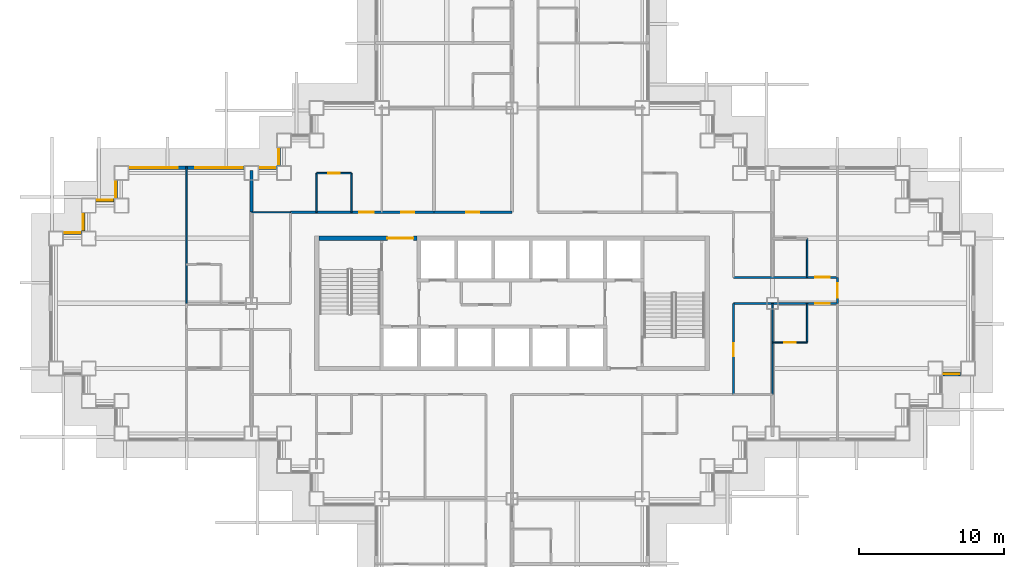
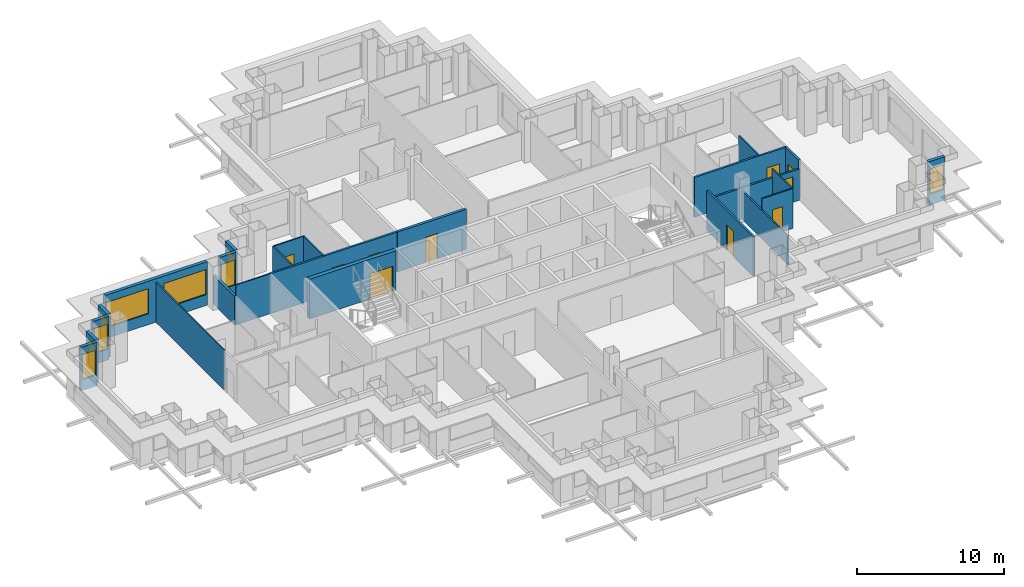
# One storey, part 7 of 15: 25 walls, 10 doors, 9 windows, 19 openings.
"""IFC4 building model written with IfcOpenShell, lengths in metres."""

from ifc_helpers import new_model, si_unit, direction, frame, frame_2d, origin, place, context, subcontext, project, spatial, rectangle, extrude, material, layer, layer_set, type_object, element, fill, save


model = new_model("IFC4")

# Units and contexts
model_context = context("Model", 3, precision=1e-05, world=origin(), true_north=direction((0.0, 1.0)))
body_context = subcontext(model_context, "Body", "Model", "MODEL_VIEW")
ifc_project = project(units=[si_unit("LENGTHUNIT", "METRE"), si_unit("AREAUNIT", "SQUARE_METRE"), si_unit("VOLUMEUNIT", "CUBIC_METRE"), si_unit("PLANEANGLEUNIT", "RADIAN"), si_unit("MASSUNIT", "GRAM", prefix="KILO")], contexts=[model_context])

# Site, building, storey
site_placement = place(None, origin())
site = spatial("IfcSite", under=ifc_project, at=site_placement, CompositionType="ELEMENT")
building_placement = place(site_placement, origin())
building = spatial("IfcBuilding", under=site, at=building_placement, Name="Caravel Reach Hotel and Residences", CompositionType="ELEMENT")
storey_placement = place(building_placement, frame((0.0, 0.0, 70.800048828125)))
storey = spatial("IfcBuildingStorey", under=building, at=storey_placement, Name="L16", CompositionType="ELEMENT", Elevation=70.800048828125)

# Wall, opening, door
ifc_material_1 = material(Name="Gypsum board on steel stud", Category="steel")
ifc_layer_1 = layer(ifc_material_1, 0.10009765625)
ifc_layer_set_1 = layer_set([ifc_layer_1], Name="Bathroom pod wall 100 mm")
wall_type_1 = type_object("IfcWallType", Name="Bathroom pod wall 100 mm", PredefinedType="PARTITIONING", material=ifc_layer_set_1)
wall_1_placement = place(storey_placement, frame((49.5, 24.300048828125, 0.0), z_axis=(0.0, 0.0, 1.0), x_axis=(1.0, 0.0, 0.0)))
wall_1 = element("IfcWall", 1, at=wall_1_placement, inside=storey, type_object=wall_type_1, Name="L16 wall w078", PredefinedType="PARTITIONING", context=body_context, shape_type="SweptSolid", body=[
    extrude(rectangle(XDim=2.39990234375, YDim=0.10009765625, at=frame_2d((1.199951171875, 0.0))), origin(), (0.0, 0.0, 1.0), 3.300048828125),
])
opening_1_placement = place(wall_1_placement, frame((0.800048828125, 0.0, 0.0)))
opening_1 = element("IfcOpeningElement", 2, at=opening_1_placement, cuts=wall_1, Name="Opening D16-020", PredefinedType="OPENING", context=body_context, shape_type="SweptSolid", body=[
    extrude(rectangle(XDim=0.800048828125, YDim=2.10009765625, at=frame_2d((0.39990234375, 1.050048828125))), frame((0.0, 0.06005859375, 0.0), z_axis=(0.0, -1.0, 0.0), x_axis=(1.0, 0.0, 0.0)), (0.0, 0.0, 1.0), 0.1201171875),
])
ifc_material_2 = material(Name="Timber and steel door leaf", Category="steel")
door_type_1 = type_object("IfcDoorType", Name="Bathroom door 800 x 2100", OperationType="SINGLE_SWING_LEFT", PredefinedType="DOOR", material=ifc_material_2)
door_1_placement = place(opening_1_placement, origin())
door_1 = element("IfcDoor", 3, at=door_1_placement, inside=storey, type_object=door_type_1, Name="door D16-020", OperationType="SINGLE_SWING_LEFT", OverallHeight=2.10009765625, OverallWidth=0.800048828125, PredefinedType="DOOR", context=body_context, shape_type="SweptSolid", body=[
    extrude(rectangle(XDim=0.800048828125, YDim=2.10009765625, at=frame_2d((0.39990234375, 1.050048828125))), frame((0.0, 0.02490234375, 0.0), z_axis=(0.0, -1.0, 0.0), x_axis=(1.0, 0.0, 0.0)), (0.0, 0.0, 1.0), 0.050048828125),
])
fill(opening_1, door_1)

wall_2_placement = place(storey_placement, frame((18.0, 36.0, 0.0), z_axis=(0.0, 0.0, 1.0), x_axis=(1.0, 0.0, 0.0)))
wall_2 = element("IfcWall", 4, at=wall_2_placement, inside=storey, type_object=wall_type_1, Name="L16 wall w081", PredefinedType="PARTITIONING", context=body_context, shape_type="SweptSolid", body=[
    extrude(rectangle(XDim=2.39990234375, YDim=0.10009765625, at=frame_2d((1.199951171875, 0.0))), origin(), (0.0, 0.0, 1.0), 3.300048828125),
])
opening_2_placement = place(wall_2_placement, frame((0.800048828125, 0.0, 0.0)))
opening_2 = element("IfcOpeningElement", 5, at=opening_2_placement, cuts=wall_2, Name="Opening D16-043", PredefinedType="OPENING", context=body_context, shape_type="SweptSolid", body=[
    extrude(rectangle(XDim=0.800048828125, YDim=2.10009765625, at=frame_2d((0.39990234375, 1.050048828125))), frame((0.0, 0.06005859375, 0.0), z_axis=(0.0, -1.0, 0.0), x_axis=(1.0, 0.0, 0.0)), (0.0, 0.0, 1.0), 0.1201171875),
])
door_2_placement = place(opening_2_placement, origin())
door_2 = element("IfcDoor", 6, at=door_2_placement, inside=storey, type_object=door_type_1, Name="door D16-043", OperationType="SINGLE_SWING_RIGHT", OverallHeight=2.10009765625, OverallWidth=0.800048828125, PredefinedType="DOOR", context=body_context, shape_type="SweptSolid", body=[
    extrude(rectangle(XDim=0.800048828125, YDim=2.10009765625, at=frame_2d((0.39990234375, 1.050048828125))), frame((0.0, 0.02490234375, 0.0), z_axis=(0.0, -1.0, 0.0), x_axis=(1.0, 0.0, 0.0)), (0.0, 0.0, 1.0), 0.050048828125),
])
fill(opening_2, door_2)

# Walls
for number, where, z_axis, x_axis, name in (
    (7, (18.0, 33.300048828125, 0.0), (0.0, 0.0, 1.0), (0.0, 1.0, 0.0), "L16 wall w090"),
    (8, (20.39990234375, 33.300048828125, 0.0), (0.0, 0.0, 1.0), (0.0, 1.0, 0.0), "L16 wall w091"),
    (9, (51.89990234375, 28.800048828125, 0.0), (0.0, 0.0, 1.0), (0.0, 1.0, 0.0), "L16 wall w103"),
    (10, (51.89990234375, 24.300048828125, 0.0), (0.0, 0.0, 1.0), (0.0, 1.0, 0.0), "L16 wall w104"),
):
    element("IfcWall", number, at=place(storey_placement, frame(where, z_axis=z_axis, x_axis=x_axis)), inside=storey, type_object=wall_type_1, Name=name, PredefinedType="PARTITIONING", context=body_context, shape_type="SweptSolid", body=[
        extrude(rectangle(XDim=2.699951171875, YDim=0.10009765625, at=frame_2d((1.35009765625, 0.0))), origin(), (0.0, 0.0, 1.0), 3.300048828125),
    ])

# Wall, opening, door
ifc_material_3 = material(Name="Autoclaved aerated block wall")
ifc_layer_2 = layer(ifc_material_3, 0.199951171875)
ifc_layer_set_2 = layer_set([ifc_layer_2], Name="Compartment wall 200 mm EI 120")
wall_type_2 = type_object("IfcWallType", Name="Compartment wall 200 mm EI 120", PredefinedType="PARTITIONING", material=ifc_layer_set_2)
wall_3_placement = place(storey_placement, frame((26.10009765625, 33.300048828125, 0.0), z_axis=(0.0, 0.0, 1.0), x_axis=(1.0, 0.0, 0.0)))
wall_3 = element("IfcWall", 11, at=wall_3_placement, inside=storey, type_object=wall_type_2, Name="L16 wall w105", PredefinedType="PARTITIONING", context=body_context, shape_type="SweptSolid", body=[
    extrude(rectangle(XDim=5.39990234375, YDim=0.199951171875, at=frame_2d((2.699951171875, 0.0))), origin(), (0.0, 0.0, 1.0), 3.300048828125),
])
opening_3_placement = place(wall_3_placement, frame((2.25, 0.0, 0.0)))
opening_3 = element("IfcOpeningElement", 12, at=opening_3_placement, cuts=wall_3, Name="Opening D16-052", PredefinedType="OPENING", context=body_context, shape_type="SweptSolid", body=[
    extrude(rectangle(XDim=0.89990234375, YDim=2.10009765625, at=frame_2d((0.449951171875, 1.050048828125))), frame((0.0, 0.10986328125, 0.0), z_axis=(0.0, -1.0, 0.0), x_axis=(1.0, 0.0, 0.0)), (0.0, 0.0, 1.0), 0.219970703125),
])
ifc_material_4 = material(Name="Steel fire door leaf", Category="steel")
door_type_2 = type_object("IfcDoorType", Name="Riser door 900 x 2100 EI 60", OperationType="SINGLE_SWING_LEFT", PredefinedType="DOOR", material=ifc_material_4)
door_3_placement = place(opening_3_placement, origin())
door_3 = element("IfcDoor", 13, at=door_3_placement, inside=storey, type_object=door_type_2, Name="door D16-052", OperationType="SINGLE_SWING_LEFT", OverallHeight=2.10009765625, OverallWidth=0.89990234375, PredefinedType="DOOR", context=body_context, shape_type="SweptSolid", body=[
    extrude(rectangle(XDim=0.89990234375, YDim=2.10009765625, at=frame_2d((0.449951171875, 1.050048828125))), frame((0.0, 0.02490234375, 0.0), z_axis=(0.0, -1.0, 0.0), x_axis=(1.0, 0.0, 0.0)), (0.0, 0.0, 1.0), 0.050048828125),
])
fill(opening_3, door_3)

ifc_material_5 = material(Name="Concrete C60", Category="concrete")
ifc_layer_3 = layer(ifc_material_5, 0.300048828125)
ifc_layer_set_3 = layer_set([ifc_layer_3], Name="Core wall 300 mm EI 120")
wall_type_3 = type_object("IfcWallType", Name="Core wall 300 mm EI 120", PredefinedType="SHEAR", material=ifc_layer_set_3)
wall_4_placement = place(storey_placement, frame((18.14990234375, 31.5, 0.0), z_axis=(0.0, 0.0, 1.0), x_axis=(1.0, 0.0, 0.0)))
wall_4 = element("IfcWall", 14, at=wall_4_placement, inside=storey, type_object=wall_type_3, Name="L16 core wall N1", PredefinedType="SHEAR", context=body_context, shape_type="SweptSolid", body=[
    extrude(rectangle(XDim=6.796630859375, YDim=0.300048828125, at=frame_2d((3.3984375, 0.0))), origin(), (0.0, 0.0, 1.0), 3.300048828125),
])
opening_4_placement = place(wall_4_placement, frame((4.735595703125, 0.0, 0.0)))
opening_4 = element("IfcOpeningElement", 15, at=opening_4_placement, cuts=wall_4, Name="Opening D16-013", PredefinedType="OPENING", context=body_context, shape_type="SweptSolid", body=[
    extrude(rectangle(XDim=1.800048828125, YDim=2.10009765625, at=frame_2d((0.89990234375, 1.050048828125))), frame((0.0, 0.159912109375, 0.0), z_axis=(0.0, -1.0, 0.0), x_axis=(1.0, 0.0, 0.0)), (0.0, 0.0, 1.0), 0.320068359375),
])
ifc_material_6 = material(Name="Steel fire door leaf", Category="steel")
door_type_3 = type_object("IfcDoorType", Name="Fire lobby door pair 1800 x 2100 EI 90", OperationType="DOUBLE_DOOR_SINGLE_SWING", PredefinedType="DOOR", material=ifc_material_6)
door_4_placement = place(opening_4_placement, origin())
door_4 = element("IfcDoor", 16, at=door_4_placement, inside=storey, type_object=door_type_3, Name="lobby N door pair to corridor", OperationType="DOUBLE_DOOR_SINGLE_SWING", OverallHeight=2.10009765625, OverallWidth=1.800048828125, PredefinedType="DOOR", context=body_context, shape_type="SweptSolid", body=[
    extrude(rectangle(XDim=1.800048828125, YDim=2.10009765625, at=frame_2d((0.89990234375, 1.050048828125))), frame((0.0, 0.02490234375, 0.0), z_axis=(0.0, -1.0, 0.0), x_axis=(1.0, 0.0, 0.0)), (0.0, 0.0, 1.0), 0.050048828125),
])
fill(opening_4, door_4)

ifc_material_7 = material(Name="Gypsum board on steel stud, fire-rated", Category="steel")
ifc_layer_4 = layer(ifc_material_7, 0.14990234375)
ifc_layer_set_4 = layer_set([ifc_layer_4], Name="Corridor wall 150 mm EI 60")
wall_type_4 = type_object("IfcWallType", Name="Corridor wall 150 mm EI 60", PredefinedType="PARTITIONING", material=ifc_layer_set_4)
wall_5_placement = place(storey_placement, frame((46.800048828125, 27.0, 0.0), z_axis=(0.0, 0.0, 1.0), x_axis=(1.0, 0.0, 0.0)))
wall_5 = element("IfcWall", 17, at=wall_5_placement, inside=storey, type_object=wall_type_4, Name="L16 wall w011", PredefinedType="PARTITIONING", context=body_context, shape_type="SweptSolid", body=[
    extrude(rectangle(XDim=7.199951171875, YDim=0.14990234375, at=frame_2d((3.60009765625, 0.0))), origin(), (0.0, 0.0, 1.0), 2.579833984375),
])
opening_5_placement = place(wall_5_placement, frame((5.64990234375, 0.0, 0.0)))
opening_5 = element("IfcOpeningElement", 18, at=opening_5_placement, cuts=wall_5, Name="Opening D16-019", PredefinedType="OPENING", context=body_context, shape_type="SweptSolid", body=[
    extrude(rectangle(XDim=1.0, YDim=2.10009765625, at=frame_2d((0.5, 1.050048828125))), frame((0.0, 0.0849609375, 0.0), z_axis=(0.0, -1.0, 0.0), x_axis=(1.0, 0.0, 0.0)), (0.0, 0.0, 1.0), 0.169921875),
])
ifc_material_8 = material(Name="Steel fire door leaf", Category="steel")
door_type_4 = type_object("IfcDoorType", Name="Guest room door 1000 x 2100 EI 30", OperationType="SINGLE_SWING_LEFT", PredefinedType="DOOR", material=ifc_material_8)
door_5_placement = place(opening_5_placement, origin())
door_5 = element("IfcDoor", 19, at=door_5_placement, inside=storey, type_object=door_type_4, Name="door D16-019", OperationType="SINGLE_SWING_RIGHT", OverallHeight=2.10009765625, OverallWidth=1.0, PredefinedType="DOOR", context=body_context, shape_type="SweptSolid", body=[
    extrude(rectangle(XDim=1.0, YDim=2.10009765625, at=frame_2d((0.5, 1.050048828125))), frame((0.0, 0.02490234375, 0.0), z_axis=(0.0, -1.0, 0.0), x_axis=(1.0, 0.0, 0.0)), (0.0, 0.0, 1.0), 0.050048828125),
])
fill(opening_5, door_5)

wall_6_placement = place(storey_placement, frame((46.800048828125, 28.800048828125, 0.0), z_axis=(0.0, 0.0, 1.0), x_axis=(1.0, 0.0, 0.0)))
wall_6 = element("IfcWall", 20, at=wall_6_placement, inside=storey, type_object=wall_type_4, Name="L16 wall w014", PredefinedType="PARTITIONING", context=body_context, shape_type="SweptSolid", body=[
    extrude(rectangle(XDim=7.199951171875, YDim=0.14990234375, at=frame_2d((3.60009765625, 0.0))), origin(), (0.0, 0.0, 1.0), 3.300048828125),
])
opening_6_placement = place(wall_6_placement, frame((5.64990234375, 0.0, 0.0)))
opening_6 = element("IfcOpeningElement", 21, at=opening_6_placement, cuts=wall_6, Name="Opening D16-021", PredefinedType="OPENING", context=body_context, shape_type="SweptSolid", body=[
    extrude(rectangle(XDim=1.0, YDim=2.10009765625, at=frame_2d((0.5, 1.050048828125))), frame((0.0, 0.0849609375, 0.0), z_axis=(0.0, -1.0, 0.0), x_axis=(1.0, 0.0, 0.0)), (0.0, 0.0, 1.0), 0.169921875),
])
door_6_placement = place(opening_6_placement, origin())
door_6 = element("IfcDoor", 22, at=door_6_placement, inside=storey, type_object=door_type_4, Name="door D16-021", OperationType="SINGLE_SWING_RIGHT", OverallHeight=2.10009765625, OverallWidth=1.0, PredefinedType="DOOR", context=body_context, shape_type="SweptSolid", body=[
    extrude(rectangle(XDim=1.0, YDim=2.10009765625, at=frame_2d((0.5, 1.050048828125))), frame((0.0, 0.02490234375, 0.0), z_axis=(0.0, -1.0, 0.0), x_axis=(1.0, 0.0, 0.0)), (0.0, 0.0, 1.0), 0.050048828125),
])
fill(opening_6, door_6)

# Wall, openings, doors
wall_7_placement = place(storey_placement, frame((16.199951171875, 33.300048828125, 0.0), z_axis=(0.0, 0.0, 1.0), x_axis=(1.0, 0.0, 0.0)))
wall_7 = element("IfcWall", 23, at=wall_7_placement, inside=storey, type_object=wall_type_4, Name="L16 wall w015", PredefinedType="PARTITIONING", context=body_context, shape_type="SweptSolid", body=[
    extrude(rectangle(XDim=9.900146484375, YDim=0.14990234375, at=frame_2d((4.9501953125, 0.0))), origin(), (0.0, 0.0, 1.0), 3.300048828125),
])
opening_7_placement = place(wall_7_placement, frame((4.75, 0.0, 0.0)))
opening_7 = element("IfcOpeningElement", 24, at=opening_7_placement, cuts=wall_7, Name="Opening D16-042", PredefinedType="OPENING", context=body_context, shape_type="SweptSolid", body=[
    extrude(rectangle(XDim=1.0, YDim=2.10009765625, at=frame_2d((0.5, 1.050048828125))), frame((0.0, 0.0849609375, 0.0), z_axis=(0.0, -1.0, 0.0), x_axis=(1.0, 0.0, 0.0)), (0.0, 0.0, 1.0), 0.169921875),
])
opening_8_placement = place(wall_7_placement, frame((7.650146484375, 0.0, 0.0)))
opening_8 = element("IfcOpeningElement", 25, at=opening_8_placement, cuts=wall_7, Name="Opening D16-051", PredefinedType="OPENING", context=body_context, shape_type="SweptSolid", body=[
    extrude(rectangle(XDim=0.89990234375, YDim=2.10009765625, at=frame_2d((0.449951171875, 1.050048828125))), frame((0.0, 0.0849609375, 0.0), z_axis=(0.0, -1.0, 0.0), x_axis=(1.0, 0.0, 0.0)), (0.0, 0.0, 1.0), 0.169921875),
])
ifc_material_9 = material(Name="Timber and steel door leaf", Category="steel")
door_type_5 = type_object("IfcDoorType", Name="Door 900 x 2100 timber", OperationType="SINGLE_SWING_LEFT", PredefinedType="DOOR", material=ifc_material_9)
door_7_placement = place(opening_8_placement, origin())
door_7 = element("IfcDoor", 26, at=door_7_placement, inside=storey, type_object=door_type_5, Name="door D16-051", OperationType="SINGLE_SWING_RIGHT", OverallHeight=2.10009765625, OverallWidth=0.89990234375, PredefinedType="DOOR", context=body_context, shape_type="SweptSolid", body=[
    extrude(rectangle(XDim=0.89990234375, YDim=2.10009765625, at=frame_2d((0.449951171875, 1.050048828125))), frame((0.0, 0.02490234375, 0.0), z_axis=(0.0, -1.0, 0.0), x_axis=(1.0, 0.0, 0.0)), (0.0, 0.0, 1.0), 0.050048828125),
])
fill(opening_8, door_7)
door_8_placement = place(opening_7_placement, origin())
door_8 = element("IfcDoor", 27, at=door_8_placement, inside=storey, type_object=door_type_4, Name="door D16-042", OperationType="SINGLE_SWING_RIGHT", OverallHeight=2.10009765625, OverallWidth=1.0, PredefinedType="DOOR", context=body_context, shape_type="SweptSolid", body=[
    extrude(rectangle(XDim=1.0, YDim=2.10009765625, at=frame_2d((0.5, 1.050048828125))), frame((0.0, 0.02490234375, 0.0), z_axis=(0.0, -1.0, 0.0), x_axis=(1.0, 0.0, 0.0)), (0.0, 0.0, 1.0), 0.050048828125),
])
fill(opening_7, door_8)

# Wall, opening, door
wall_8_placement = place(storey_placement, frame((46.800048828125, 20.699951171875, 0.0), z_axis=(0.0, 0.0, 1.0), x_axis=(0.0, 1.0, 0.0)))
wall_8 = element("IfcWall", 28, at=wall_8_placement, inside=storey, type_object=wall_type_4, Name="L16 wall w035", PredefinedType="PARTITIONING", context=body_context, shape_type="SweptSolid", body=[
    extrude(rectangle(XDim=6.300048828125, YDim=0.14990234375, at=frame_2d((3.14990234375, 0.0))), origin(), (0.0, 0.0, 1.0), 3.300048828125),
])
opening_9_placement = place(wall_8_placement, frame((2.64990234375, 0.0, 0.0)))
opening_9 = element("IfcOpeningElement", 29, at=opening_9_placement, cuts=wall_8, Name="Opening D16-059", PredefinedType="OPENING", context=body_context, shape_type="SweptSolid", body=[
    extrude(rectangle(XDim=0.89990234375, YDim=2.10009765625, at=frame_2d((0.449951171875, 1.050048828125))), frame((0.0, 0.0849609375, 0.0), z_axis=(0.0, -1.0, 0.0), x_axis=(1.0, 0.0, 0.0)), (0.0, 0.0, 1.0), 0.169921875),
])
door_9_placement = place(opening_9_placement, origin())
door_9 = element("IfcDoor", 30, at=door_9_placement, inside=storey, type_object=door_type_5, Name="door D16-059", OperationType="SINGLE_SWING_LEFT", OverallHeight=2.10009765625, OverallWidth=0.89990234375, PredefinedType="DOOR", context=body_context, shape_type="SweptSolid", body=[
    extrude(rectangle(XDim=0.89990234375, YDim=2.10009765625, at=frame_2d((0.449951171875, 1.050048828125))), frame((0.0, 0.02490234375, 0.0), z_axis=(0.0, -1.0, 0.0), x_axis=(1.0, 0.0, 0.0)), (0.0, 0.0, 1.0), 0.050048828125),
])
fill(opening_9, door_9)

wall_9_placement = place(storey_placement, frame((54.0, 27.0, 0.0), z_axis=(0.0, 0.0, 1.0), x_axis=(0.0, 1.0, 0.0)))
wall_9 = element("IfcWall", 31, at=wall_9_placement, inside=storey, type_object=wall_type_4, Name="L16 wall w036", PredefinedType="PARTITIONING", context=body_context, shape_type="SweptSolid", body=[
    extrude(rectangle(XDim=1.800048828125, YDim=0.14990234375, at=frame_2d((0.89990234375, 0.0))), origin(), (0.0, 0.0, 1.0), 3.300048828125),
])
opening_10_placement = place(wall_9_placement, frame((0.39990234375, 0.0, 0.0)))
opening_10 = element("IfcOpeningElement", 32, at=opening_10_placement, cuts=wall_9, Name="Opening D16-038", PredefinedType="OPENING", context=body_context, shape_type="SweptSolid", body=[
    extrude(rectangle(XDim=1.0, YDim=2.10009765625, at=frame_2d((0.5, 1.050048828125))), frame((0.0, 0.0849609375, 0.0), z_axis=(0.0, -1.0, 0.0), x_axis=(1.0, 0.0, 0.0)), (0.0, 0.0, 1.0), 0.169921875),
])
door_10_placement = place(opening_10_placement, origin())
door_10 = element("IfcDoor", 33, at=door_10_placement, inside=storey, type_object=door_type_4, Name="door D16-038", OperationType="SINGLE_SWING_LEFT", OverallHeight=2.10009765625, OverallWidth=1.0, PredefinedType="DOOR", context=body_context, shape_type="SweptSolid", body=[
    extrude(rectangle(XDim=1.0, YDim=2.10009765625, at=frame_2d((0.5, 1.050048828125))), frame((0.0, 0.02490234375, 0.0), z_axis=(0.0, -1.0, 0.0), x_axis=(1.0, 0.0, 0.0)), (0.0, 0.0, 1.0), 0.050048828125),
])
fill(opening_10, door_10)

# Wall, opening, window
ifc_material_10 = material(Name="Insulated rainscreen wall, aluminium cladding", Category="aluminium")
ifc_layer_5 = layer(ifc_material_10, 0.25)
ifc_layer_set_5 = layer_set([ifc_layer_5], Name="EW1 Tower rainscreen wall")
wall_type_5 = type_object("IfcWallType", Name="EW1 Tower rainscreen wall", PredefinedType="SOLIDWALL", material=ifc_layer_set_5)
wall_10_placement = place(storey_placement, frame((61.25, 22.125, 0.0), z_axis=(0.0, 0.0, 1.0), x_axis=(1.0, 0.0, 0.0)))
wall_10 = element("IfcWall", 34, at=wall_10_placement, inside=storey, type_object=wall_type_5, Name="External wall L16 S19.1", PredefinedType="SOLIDWALL", context=body_context, shape_type="SweptSolid", body=[
    extrude(rectangle(XDim=1.25, YDim=0.25, at=frame_2d((0.625, 0.0))), origin(), (0.0, 0.0, 1.0), 3.599853515625),
])
opening_11_placement = place(wall_10_placement, frame((0.10009765625, 0.0, 0.89990234375)))
opening_11 = element("IfcOpeningElement", 35, at=opening_11_placement, cuts=wall_10, Name="Opening WN3", PredefinedType="OPENING", context=body_context, shape_type="SweptSolid", body=[
    extrude(rectangle(XDim=1.050048828125, YDim=2.080078125, at=frame_2d((0.52490234375, 1.0400390625))), frame((0.0, 0.135009765625, 0.0), z_axis=(0.0, -1.0, 0.0), x_axis=(1.0, 0.0, 0.0)), (0.0, 0.0, 1.0), 0.27001953125),
])
ifc_material_11 = material(Name="Dark low-e glazing in black aluminium frame", Category="aluminium")
window_type_1 = type_object("IfcWindowType", Name="Hotel suite corner window 1050 x 2080", PartitioningType="SINGLE_PANEL", PredefinedType="WINDOW", material=ifc_material_11)
window_1_placement = place(opening_11_placement, origin())
window_1 = element("IfcWindow", 36, at=window_1_placement, inside=storey, type_object=window_type_1, Name="Window L16 S19.1.1", OverallHeight=2.080078125, OverallWidth=1.050048828125, PartitioningType="SINGLE_PANEL", PredefinedType="WINDOW", context=body_context, shape_type="SweptSolid", body=[
    extrude(rectangle(XDim=1.050048828125, YDim=2.080078125, at=frame_2d((0.52490234375, 1.0400390625))), frame((0.0, 0.030029296875, 0.0), z_axis=(0.0, -1.0, 0.0), x_axis=(1.0, 0.0, 0.0)), (0.0, 0.0, 1.0), 0.06005859375),
])
fill(opening_11, window_1)

wall_11_placement = place(storey_placement, frame((15.375, 37.75, 0.0), z_axis=(0.0, 0.0, 1.0), x_axis=(0.0, -1.0, 0.0)))
wall_11 = element("IfcWall", 37, at=wall_11_placement, inside=storey, type_object=wall_type_5, Name="External wall L16 W44.1", PredefinedType="SOLIDWALL", context=body_context, shape_type="SweptSolid", body=[
    extrude(rectangle(XDim=1.25, YDim=0.25, at=frame_2d((0.625, 0.0))), origin(), (0.0, 0.0, 1.0), 3.599853515625),
])
opening_12_placement = place(wall_11_placement, frame((0.10009765625, 0.0, 0.89990234375)))
opening_12 = element("IfcOpeningElement", 38, at=opening_12_placement, cuts=wall_11, Name="Opening WN3", PredefinedType="OPENING", context=body_context, shape_type="SweptSolid", body=[
    extrude(rectangle(XDim=1.050048828125, YDim=2.080078125, at=frame_2d((0.52490234375, 1.0400390625))), frame((0.0, 0.135009765625, 0.0), z_axis=(0.0, -1.0, 0.0), x_axis=(1.0, 0.0, 0.0)), (0.0, 0.0, 1.0), 0.27001953125),
])
window_2_placement = place(opening_12_placement, origin())
window_2 = element("IfcWindow", 39, at=window_2_placement, inside=storey, type_object=window_type_1, Name="Window L16 W44.1.1", OverallHeight=2.080078125, OverallWidth=1.050048828125, PartitioningType="SINGLE_PANEL", PredefinedType="WINDOW", context=body_context, shape_type="SweptSolid", body=[
    extrude(rectangle(XDim=1.050048828125, YDim=2.080078125, at=frame_2d((0.52490234375, 1.0400390625))), frame((0.0, 0.030029296875, 0.0), z_axis=(0.0, -1.0, 0.0), x_axis=(1.0, 0.0, 0.0)), (0.0, 0.0, 1.0), 0.06005859375),
])
fill(opening_12, window_2)

wall_12_placement = place(storey_placement, frame((15.25, 36.375, 0.0), z_axis=(0.0, 0.0, 1.0), x_axis=(-1.0, 0.0, 0.0)))
wall_12 = element("IfcWall", 40, at=wall_12_placement, inside=storey, type_object=wall_type_5, Name="External wall L16 N45.1", PredefinedType="SOLIDWALL", context=body_context, shape_type="SweptSolid", body=[
    extrude(rectangle(XDim=1.25, YDim=0.25, at=frame_2d((0.625, 0.0))), origin(), (0.0, 0.0, 1.0), 3.599853515625),
])
opening_13_placement = place(wall_12_placement, frame((0.10009765625, 0.0, 0.89990234375)))
opening_13 = element("IfcOpeningElement", 41, at=opening_13_placement, cuts=wall_12, Name="Opening WN3", PredefinedType="OPENING", context=body_context, shape_type="SweptSolid", body=[
    extrude(rectangle(XDim=1.050048828125, YDim=2.080078125, at=frame_2d((0.52490234375, 1.0400390625))), frame((0.0, 0.135009765625, 0.0), z_axis=(0.0, -1.0, 0.0), x_axis=(1.0, 0.0, 0.0)), (0.0, 0.0, 1.0), 0.27001953125),
])
window_3_placement = place(opening_13_placement, origin())
window_3 = element("IfcWindow", 42, at=window_3_placement, inside=storey, type_object=window_type_1, Name="Window L16 N45.1.1", OverallHeight=2.080078125, OverallWidth=1.050048828125, PartitioningType="SINGLE_PANEL", PredefinedType="WINDOW", context=body_context, shape_type="SweptSolid", body=[
    extrude(rectangle(XDim=1.050048828125, YDim=2.080078125, at=frame_2d((0.52490234375, 1.0400390625))), frame((0.0, 0.030029296875, 0.0), z_axis=(0.0, -1.0, 0.0), x_axis=(1.0, 0.0, 0.0)), (0.0, 0.0, 1.0), 0.06005859375),
])
fill(opening_13, window_3)

# Wall, openings, windows
wall_13_placement = place(storey_placement, frame((13.0, 36.375, 0.0), z_axis=(0.0, 0.0, 1.0), x_axis=(-1.0, 0.0, 0.0)))
wall_13 = element("IfcWall", 43, at=wall_13_placement, inside=storey, type_object=wall_type_5, Name="External wall L16 N45.2", PredefinedType="SOLIDWALL", context=body_context, shape_type="SweptSolid", body=[
    extrude(rectangle(XDim=8.0, YDim=0.25, at=frame_2d((4.0, 0.0))), origin(), (0.0, 0.0, 1.0), 3.599853515625),
])
opening_14_placement = place(wall_13_placement, frame((0.10009765625, 0.0, 0.89990234375)))
opening_14 = element("IfcOpeningElement", 44, at=opening_14_placement, cuts=wall_13, Name="Opening WN4", PredefinedType="OPENING", context=body_context, shape_type="SweptSolid", body=[
    extrude(rectangle(XDim=3.300048828125, YDim=2.080078125, at=frame_2d((1.64990234375, 1.0400390625))), frame((0.0, 0.135009765625, 0.0), z_axis=(0.0, -1.0, 0.0), x_axis=(1.0, 0.0, 0.0)), (0.0, 0.0, 1.0), 0.27001953125),
])
opening_15_placement = place(wall_13_placement, frame((4.60009765625, 0.0, 0.89990234375)))
opening_15 = element("IfcOpeningElement", 45, at=opening_15_placement, cuts=wall_13, Name="Opening WN4", PredefinedType="OPENING", context=body_context, shape_type="SweptSolid", body=[
    extrude(rectangle(XDim=3.300048828125, YDim=2.080078125, at=frame_2d((1.64990234375, 1.0400390625))), frame((0.0, 0.135009765625, 0.0), z_axis=(0.0, -1.0, 0.0), x_axis=(1.0, 0.0, 0.0)), (0.0, 0.0, 1.0), 0.27001953125),
])
ifc_material_12 = material(Name="Dark low-e glazing in black aluminium frame", Category="aluminium")
window_type_2 = type_object("IfcWindowType", Name="Hotel guest room window 3300 x 2080", PartitioningType="SINGLE_PANEL", PredefinedType="WINDOW", material=ifc_material_12)
window_4_placement = place(opening_14_placement, origin())
window_4 = element("IfcWindow", 46, at=window_4_placement, inside=storey, type_object=window_type_2, Name="Window L16 N45.2.1", OverallHeight=2.080078125, OverallWidth=3.300048828125, PartitioningType="SINGLE_PANEL", PredefinedType="WINDOW", context=body_context, shape_type="SweptSolid", body=[
    extrude(rectangle(XDim=3.300048828125, YDim=2.080078125, at=frame_2d((1.64990234375, 1.0400390625))), frame((0.0, 0.030029296875, 0.0), z_axis=(0.0, -1.0, 0.0), x_axis=(1.0, 0.0, 0.0)), (0.0, 0.0, 1.0), 0.06005859375),
])
fill(opening_14, window_4)
window_5_placement = place(opening_15_placement, origin())
window_5 = element("IfcWindow", 47, at=window_5_placement, inside=storey, type_object=window_type_2, Name="Window L16 N45.2.2", OverallHeight=2.080078125, OverallWidth=3.300048828125, PartitioningType="SINGLE_PANEL", PredefinedType="WINDOW", context=body_context, shape_type="SweptSolid", body=[
    extrude(rectangle(XDim=3.300048828125, YDim=2.080078125, at=frame_2d((1.64990234375, 1.0400390625))), frame((0.0, 0.030029296875, 0.0), z_axis=(0.0, -1.0, 0.0), x_axis=(1.0, 0.0, 0.0)), (0.0, 0.0, 1.0), 0.06005859375),
])
fill(opening_15, window_5)

# Wall, opening, window
wall_14_placement = place(storey_placement, frame((4.125, 35.5, 0.0), z_axis=(0.0, 0.0, 1.0), x_axis=(0.0, -1.0, 0.0)))
wall_14 = element("IfcWall", 48, at=wall_14_placement, inside=storey, type_object=wall_type_5, Name="External wall L16 W46.1", PredefinedType="SOLIDWALL", context=body_context, shape_type="SweptSolid", body=[
    extrude(rectangle(XDim=1.25, YDim=0.25, at=frame_2d((0.625, 0.0))), origin(), (0.0, 0.0, 1.0), 3.599853515625),
])
opening_16_placement = place(wall_14_placement, frame((0.10009765625, 0.0, 0.89990234375)))
opening_16 = element("IfcOpeningElement", 49, at=opening_16_placement, cuts=wall_14, Name="Opening WN3", PredefinedType="OPENING", context=body_context, shape_type="SweptSolid", body=[
    extrude(rectangle(XDim=1.050048828125, YDim=2.080078125, at=frame_2d((0.52490234375, 1.0400390625))), frame((0.0, 0.135009765625, 0.0), z_axis=(0.0, -1.0, 0.0), x_axis=(1.0, 0.0, 0.0)), (0.0, 0.0, 1.0), 0.27001953125),
])
window_6_placement = place(opening_16_placement, origin())
window_6 = element("IfcWindow", 50, at=window_6_placement, inside=storey, type_object=window_type_1, Name="Window L16 W46.1.1", OverallHeight=2.080078125, OverallWidth=1.050048828125, PartitioningType="SINGLE_PANEL", PredefinedType="WINDOW", context=body_context, shape_type="SweptSolid", body=[
    extrude(rectangle(XDim=1.050048828125, YDim=2.080078125, at=frame_2d((0.52490234375, 1.0400390625))), frame((0.0, 0.030029296875, 0.0), z_axis=(0.0, -1.0, 0.0), x_axis=(1.0, 0.0, 0.0)), (0.0, 0.0, 1.0), 0.06005859375),
])
fill(opening_16, window_6)

wall_15_placement = place(storey_placement, frame((4.0, 34.125, 0.0), z_axis=(0.0, 0.0, 1.0), x_axis=(-1.0, 0.0, 0.0)))
wall_15 = element("IfcWall", 51, at=wall_15_placement, inside=storey, type_object=wall_type_5, Name="External wall L16 N47.1", PredefinedType="SOLIDWALL", context=body_context, shape_type="SweptSolid", body=[
    extrude(rectangle(XDim=1.25, YDim=0.25, at=frame_2d((0.625, 0.0))), origin(), (0.0, 0.0, 1.0), 3.599853515625),
])
opening_17_placement = place(wall_15_placement, frame((0.10009765625, 0.0, 0.89990234375)))
opening_17 = element("IfcOpeningElement", 52, at=opening_17_placement, cuts=wall_15, Name="Opening WN3", PredefinedType="OPENING", context=body_context, shape_type="SweptSolid", body=[
    extrude(rectangle(XDim=1.050048828125, YDim=2.080078125, at=frame_2d((0.52490234375, 1.0400390625))), frame((0.0, 0.135009765625, 0.0), z_axis=(0.0, -1.0, 0.0), x_axis=(1.0, 0.0, 0.0)), (0.0, 0.0, 1.0), 0.27001953125),
])
window_7_placement = place(opening_17_placement, origin())
window_7 = element("IfcWindow", 53, at=window_7_placement, inside=storey, type_object=window_type_1, Name="Window L16 N47.1.1", OverallHeight=2.080078125, OverallWidth=1.050048828125, PartitioningType="SINGLE_PANEL", PredefinedType="WINDOW", context=body_context, shape_type="SweptSolid", body=[
    extrude(rectangle(XDim=1.050048828125, YDim=2.080078125, at=frame_2d((0.52490234375, 1.0400390625))), frame((0.0, 0.030029296875, 0.0), z_axis=(0.0, -1.0, 0.0), x_axis=(1.0, 0.0, 0.0)), (0.0, 0.0, 1.0), 0.06005859375),
])
fill(opening_17, window_7)

wall_16_placement = place(storey_placement, frame((1.875, 33.25, 0.0), z_axis=(0.0, 0.0, 1.0), x_axis=(0.0, -1.0, 0.0)))
wall_16 = element("IfcWall", 54, at=wall_16_placement, inside=storey, type_object=wall_type_5, Name="External wall L16 W48.1", PredefinedType="SOLIDWALL", context=body_context, shape_type="SweptSolid", body=[
    extrude(rectangle(XDim=1.25, YDim=0.25, at=frame_2d((0.625, 0.0))), origin(), (0.0, 0.0, 1.0), 3.599853515625),
])
opening_18_placement = place(wall_16_placement, frame((0.10009765625, 0.0, 0.89990234375)))
opening_18 = element("IfcOpeningElement", 55, at=opening_18_placement, cuts=wall_16, Name="Opening WN3", PredefinedType="OPENING", context=body_context, shape_type="SweptSolid", body=[
    extrude(rectangle(XDim=1.050048828125, YDim=2.080078125, at=frame_2d((0.52490234375, 1.0400390625))), frame((0.0, 0.135009765625, 0.0), z_axis=(0.0, -1.0, 0.0), x_axis=(1.0, 0.0, 0.0)), (0.0, 0.0, 1.0), 0.27001953125),
])
window_8_placement = place(opening_18_placement, origin())
window_8 = element("IfcWindow", 56, at=window_8_placement, inside=storey, type_object=window_type_1, Name="Window L16 W48.1.1", OverallHeight=2.080078125, OverallWidth=1.050048828125, PartitioningType="SINGLE_PANEL", PredefinedType="WINDOW", context=body_context, shape_type="SweptSolid", body=[
    extrude(rectangle(XDim=1.050048828125, YDim=2.080078125, at=frame_2d((0.52490234375, 1.0400390625))), frame((0.0, 0.030029296875, 0.0), z_axis=(0.0, -1.0, 0.0), x_axis=(1.0, 0.0, 0.0)), (0.0, 0.0, 1.0), 0.06005859375),
])
fill(opening_18, window_8)

wall_17_placement = place(storey_placement, frame((1.75, 31.875, 0.0), z_axis=(0.0, 0.0, 1.0), x_axis=(-1.0, 0.0, 0.0)))
wall_17 = element("IfcWall", 57, at=wall_17_placement, inside=storey, type_object=wall_type_5, Name="External wall L16 N49.1", PredefinedType="SOLIDWALL", context=body_context, shape_type="SweptSolid", body=[
    extrude(rectangle(XDim=1.25, YDim=0.25, at=frame_2d((0.625, 0.0))), origin(), (0.0, 0.0, 1.0), 3.599853515625),
])
opening_19_placement = place(wall_17_placement, frame((0.10009765625, 0.0, 0.89990234375)))
opening_19 = element("IfcOpeningElement", 58, at=opening_19_placement, cuts=wall_17, Name="Opening WN3", PredefinedType="OPENING", context=body_context, shape_type="SweptSolid", body=[
    extrude(rectangle(XDim=1.050048828125, YDim=2.080078125, at=frame_2d((0.52490234375, 1.0400390625))), frame((0.0, 0.135009765625, 0.0), z_axis=(0.0, -1.0, 0.0), x_axis=(1.0, 0.0, 0.0)), (0.0, 0.0, 1.0), 0.27001953125),
])
window_9_placement = place(opening_19_placement, origin())
window_9 = element("IfcWindow", 59, at=window_9_placement, inside=storey, type_object=window_type_1, Name="Window L16 N49.1.1", OverallHeight=2.080078125, OverallWidth=1.050048828125, PartitioningType="SINGLE_PANEL", PredefinedType="WINDOW", context=body_context, shape_type="SweptSolid", body=[
    extrude(rectangle(XDim=1.050048828125, YDim=2.080078125, at=frame_2d((0.52490234375, 1.0400390625))), frame((0.0, 0.030029296875, 0.0), z_axis=(0.0, -1.0, 0.0), x_axis=(1.0, 0.0, 0.0)), (0.0, 0.0, 1.0), 0.06005859375),
])
fill(opening_19, window_9)

# Walls
ifc_material_13 = material(Name="Gypsum board on steel stud", Category="steel")
ifc_layer_6 = layer(ifc_material_13, 0.10009765625)
ifc_layer_set_6 = layer_set([ifc_layer_6], Name="Partition 100 mm")
wall_type_6 = type_object("IfcWallType", Name="Partition 100 mm", PredefinedType="PARTITIONING", material=ifc_layer_set_6)
wall_18_placement = place(storey_placement, frame((13.5, 33.300048828125, 0.0), z_axis=(0.0, 0.0, 1.0), x_axis=(1.0, 0.0, 0.0)))
element("IfcWall", 60, at=wall_18_placement, inside=storey, type_object=wall_type_6, Name="L16 wall w043", PredefinedType="PARTITIONING", context=body_context, shape_type="SweptSolid", body=[
    extrude(rectangle(XDim=2.699951171875, YDim=0.10009765625, at=frame_2d((1.35009765625, 0.0))), origin(), (0.0, 0.0, 1.0), 3.300048828125),
])
wall_19_placement = place(storey_placement, frame((49.5, 20.699951171875, 0.0), z_axis=(0.0, 0.0, 1.0), x_axis=(0.0, 1.0, 0.0)))
element("IfcWall", 61, at=wall_19_placement, inside=storey, type_object=wall_type_6, Name="L16 wall w061", PredefinedType="PARTITIONING", context=body_context, shape_type="SweptSolid", body=[
    extrude(rectangle(XDim=6.300048828125, YDim=0.10009765625, at=frame_2d((3.14990234375, 0.0))), origin(), (0.0, 0.0, 1.0), 2.3798828125),
])
wall_20_placement = place(storey_placement, frame((9.0, 27.0, 0.0), z_axis=(0.0, 0.0, 1.0), x_axis=(0.0, 1.0, 0.0)))
element("IfcWall", 62, at=wall_20_placement, inside=storey, type_object=wall_type_6, Name="L16 wall w064", PredefinedType="PARTITIONING", context=body_context, shape_type="SweptSolid", body=[
    extrude(rectangle(XDim=9.43994140625, YDim=0.10009765625, at=frame_2d((4.719970703125, 0.0))), origin(), (0.0, 0.0, 1.0), 3.300048828125),
])
ifc_material_14 = material(Name="Autoclaved aerated block wall")
ifc_layer_7 = layer(ifc_material_14, 0.199951171875)
ifc_layer_set_7 = layer_set([ifc_layer_7], Name="Party wall 200 mm EI 60")
wall_type_7 = type_object("IfcWallType", Name="Party wall 200 mm EI 60", PredefinedType="PARTITIONING", material=ifc_layer_set_7)
wall_21_placement = place(storey_placement, frame((13.5, 33.300048828125, 0.0), z_axis=(0.0, 0.0, 1.0), x_axis=(0.0, 1.0, 0.0)))
element("IfcWall", 63, at=wall_21_placement, inside=storey, type_object=wall_type_7, Name="L16 wall w070", PredefinedType="PARTITIONING", context=body_context, shape_type="SweptSolid", body=[
    extrude(rectangle(XDim=2.889892578125, YDim=0.199951171875, at=frame_2d((1.44482421875, 0.0))), origin(), (0.0, 0.0, 1.0), 2.3798828125),
])

save(model, "model.ifc")
